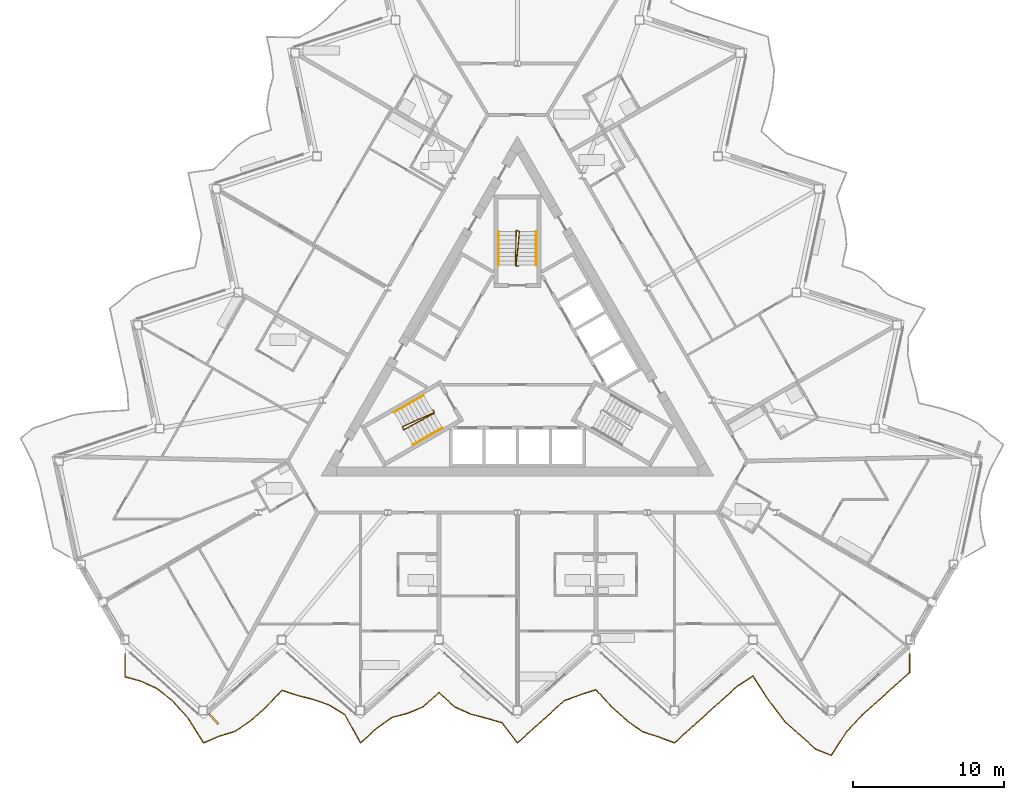
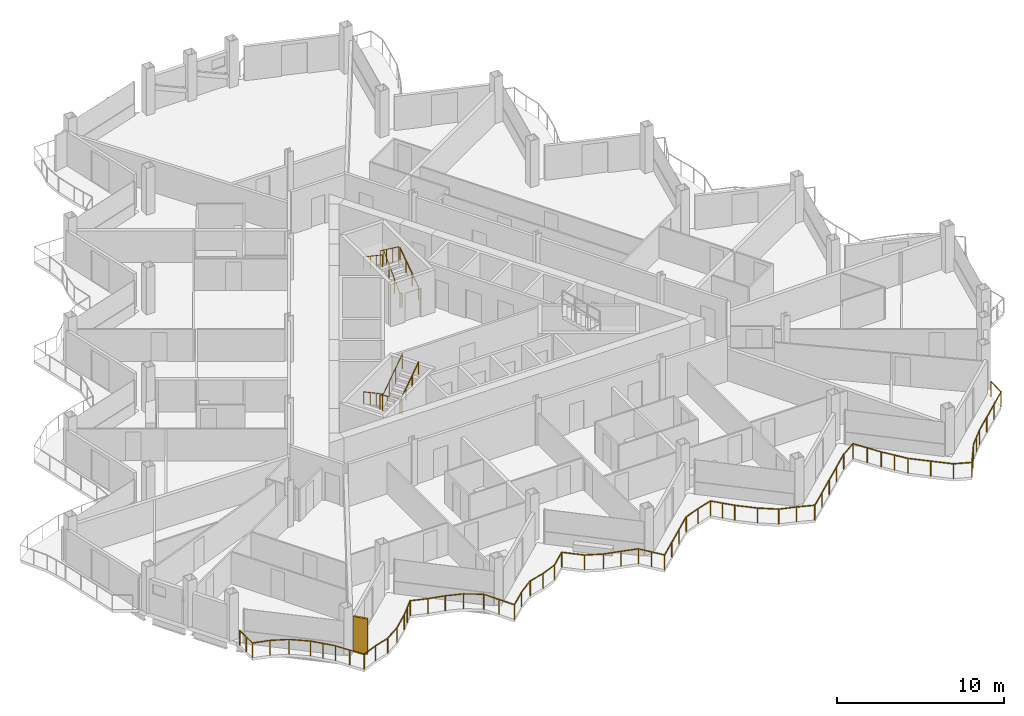
# One storey, part 23 of 27: 7 railings, 1 shading device.
"""IFC4 building model written with IfcOpenShell, lengths in metres."""

from ifc_helpers import new_model, si_unit, direction, frame, origin, origin_2d, place, context, subcontext, project, spatial, rectangle, circle, extrude, material, layer, layer_set, type_object, element, save


model = new_model("IFC4")

# Units and contexts
model_context = context("Model", 3, precision=1e-05, world=origin(), true_north=direction((0.0, 1.0)))
body_context = subcontext(model_context, "Body", "Model", "MODEL_VIEW")
ifc_project = project(units=[si_unit("LENGTHUNIT", "METRE"), si_unit("AREAUNIT", "SQUARE_METRE"), si_unit("VOLUMEUNIT", "CUBIC_METRE"), si_unit("PLANEANGLEUNIT", "RADIAN"), si_unit("MASSUNIT", "GRAM", prefix="KILO")], contexts=[model_context])

# Site, building, storey
site_placement = place(None, origin())
site = spatial("IfcSite", under=ifc_project, at=site_placement, CompositionType="ELEMENT")
building_placement = place(site_placement, origin())
building = spatial("IfcBuilding", under=site, at=building_placement, Name="Cormorant Prow Tower", CompositionType="ELEMENT")
storey_placement = place(building_placement, frame((0.0, 0.0, 315.39990234375)))
storey = spatial("IfcBuildingStorey", under=building, at=storey_placement, Name="L69", CompositionType="ELEMENT", Elevation=315.39990234375)

# Railings
ifc_material_1 = material(Name="Aluminium 6063-T6", Category="aluminium")
railing_type_1 = type_object("IfcRailingType", Name="Balcony guard 1100", PredefinedType="GUARDRAIL", material=ifc_material_1)
railing_1_placement = place(storey_placement, frame((-25.964111328125, -19.2666015625, 0.0)))
element("IfcRailing", 1, at=railing_1_placement, inside=storey, type_object=railing_type_1, Name="Balcony guard S", PredefinedType="GUARDRAIL", context=body_context, shape_type="SweptSolid", body=[
    extrude(circle(Radius=0.02392578125, at=origin_2d()), frame((0.0, 0.0, 1.076171875), z_axis=(0.0, -1.0, 0.0), x_axis=(1.0, 0.0, 0.0)), (0.0, 0.0, 1.0), 1.52001953125),
    extrude(circle(Radius=0.02392578125, at=origin_2d()), frame((0.0, -1.52001953125, 1.076171875), z_axis=(0.964831830716, -0.262867910625, 0.0), x_axis=(0.262867910625, 0.964831830716, 0.0)), (0.0, 0.0, 1.0), 1.076416015625),
    extrude(circle(Radius=0.02392578125, at=origin_2d()), frame((1.03857421875, -1.802978515625, 1.076171875), z_axis=(0.909529903983, -0.415638489267, 0.0), x_axis=(0.415638489267, 0.909529903983, 0.0)), (0.0, 0.0, 1.0), 1.141845703125),
    extrude(circle(Radius=0.02392578125, at=origin_2d()), frame((2.0771484375, -2.277587890625, 1.076171875), z_axis=(0.791751393424, -0.610843458679, 0.0), x_axis=(0.610843458679, 0.791751393424, 0.0)), (0.0, 0.0, 1.0), 1.311767578125),
    extrude(circle(Radius=0.02392578125, at=origin_2d()), frame((3.11572265625, -3.078857421875, 1.076171875), z_axis=(0.664654722426, -0.747150654123, 0.0), x_axis=(0.747150654123, 0.664654722426, 0.0)), (0.0, 0.0, 1.0), 1.5625),
    extrude(circle(Radius=0.02392578125, at=origin_2d()), frame((4.154296875, -4.246337890625, 1.076171875), z_axis=(0.532889683399, -0.846184722934, 0.0), x_axis=(0.846184722934, 0.532889683399, 0.0)), (0.0, 0.0, 1.0), 1.948974609375),
    extrude(circle(Radius=0.02392578125, at=origin_2d()), frame((5.19287109375, -5.8955078125, 1.076171875), z_axis=(0.918608052251, 0.395169895538, 0.0), x_axis=(-0.395169895538, 0.918608052251, 0.0)), (0.0, 0.0, 1.0), 1.130615234375),
    extrude(circle(Radius=0.02392578125, at=origin_2d()), frame((6.2314453125, -5.44873046875, 1.076171875), z_axis=(0.956152439164, 0.292869447163, 0.0), x_axis=(-0.292869447163, 0.956152439164, 0.0)), (0.0, 0.0, 1.0), 1.086181640625),
    extrude(circle(Radius=0.02392578125, at=origin_2d()), frame((7.27001953125, -5.130615234375, 1.076171875), z_axis=(0.832772402208, 0.553615503866, 0.0), x_axis=(-0.553615503866, 0.832772402208, 0.0)), (0.0, 0.0, 1.0), 1.2470703125),
    extrude(circle(Radius=0.02392578125, at=origin_2d()), frame((8.30859375, -4.440185546875, 1.076171875), z_axis=(0.743172519809, 0.669099847407, 0.0), x_axis=(-0.669099847407, 0.743172519809, 0.0)), (0.0, 0.0, 1.0), 1.3974609375),
    extrude(circle(Radius=0.02392578125, at=origin_2d()), frame((9.34716796875, -3.505126953125, 1.076171875), z_axis=(0.688817563116, 0.724934731368, 0.0), x_axis=(-0.724934731368, 0.688817563116, 0.0)), (0.0, 0.0, 1.0), 1.50732421875),
    extrude(circle(Radius=0.02392578125, at=origin_2d()), frame((10.385498046875, -2.412353515625, 1.076171875), z_axis=(0.948370798801, -0.317163724252, 0.0), x_axis=(0.317163724252, 0.948370798801, 0.0)), (0.0, 0.0, 1.0), 1.095458984375),
    extrude(circle(Radius=0.02392578125, at=origin_2d()), frame((11.42431640625, -2.759765625, 1.076171875), z_axis=(0.970490410078, -0.241139718724, 0.0), x_axis=(0.241139718724, 0.970490410078, 0.0)), (0.0, 0.0, 1.0), 1.070068359375),
    extrude(circle(Radius=0.02392578125, at=origin_2d()), frame((12.462890625, -3.017822265625, 1.076171875), z_axis=(0.942785531899, -0.333399821297, 0.0), x_axis=(0.333399821297, 0.942785531899, 0.0)), (0.0, 0.0, 1.0), 1.101318359375),
    extrude(circle(Radius=0.02392578125, at=origin_2d()), frame((13.501220703125, -3.385009765625, 1.076171875), z_axis=(0.850035108532, -0.526726033402, 0.0), x_axis=(0.526726033402, 0.850035108532, 0.0)), (0.0, 0.0, 1.0), 1.2216796875),
    extrude(circle(Radius=0.02392578125, at=origin_2d()), frame((14.539794921875, -4.028564453125, 1.076171875), z_axis=(0.486224960998, -0.873833672562, 0.0), x_axis=(0.873833672562, 0.486224960998, 0.0)), (0.0, 0.0, 1.0), 2.136474609375),
    extrude(circle(Radius=0.02392578125, at=origin_2d()), frame((15.57861328125, -5.8955078125, 1.076171875), z_axis=(0.743094292463, 0.669186724696, 0.0), x_axis=(-0.669186724696, 0.743094292463, 0.0)), (0.0, 0.0, 1.0), 1.397216796875),
    extrude(circle(Radius=0.02392578125, at=origin_2d()), frame((16.616943359375, -4.96044921875, 1.076171875), z_axis=(0.809352688534, 0.587322931242, 0.0), x_axis=(-0.587322931242, 0.809352688534, 0.0)), (0.0, 0.0, 1.0), 1.283203125),
    extrude(circle(Radius=0.02392578125, at=origin_2d()), frame((17.655517578125, -4.206787109375, 1.076171875), z_axis=(0.96810124115, 0.250559348027, 0.0), x_axis=(-0.250559348027, 0.96810124115, 0.0)), (0.0, 0.0, 1.0), 1.07275390625),
    extrude(circle(Radius=0.02392578125, at=origin_2d()), frame((18.694091796875, -3.93798828125, 1.076171875), z_axis=(0.92303840106, 0.384707824419, 0.0), x_axis=(-0.384707824419, 0.92303840106, 0.0)), (0.0, 0.0, 1.0), 1.125244140625),
    extrude(circle(Radius=0.02392578125, at=origin_2d()), frame((19.732666015625, -3.505126953125, 1.076171875), z_axis=(0.743085653119, 0.669196318077, 0.0), x_axis=(-0.669196318077, 0.743085653119, 0.0)), (0.0, 0.0, 1.0), 1.397705078125),
    extrude(circle(Radius=0.02392578125, at=origin_2d()), frame((20.771240234375, -2.56982421875, 1.076171875), z_axis=(0.743085653119, -0.669196318077, 0.0), x_axis=(0.669196318077, 0.743085653119, 0.0)), (0.0, 0.0, 1.0), 1.397705078125),
    extrude(circle(Radius=0.02392578125, at=origin_2d()), frame((21.809814453125, -3.505126953125, 1.076171875), z_axis=(0.908963631122, -0.416875421796, 0.0), x_axis=(0.416875421796, 0.908963631122, 0.0)), (0.0, 0.0, 1.0), 1.142578125),
    extrude(circle(Radius=0.02392578125, at=origin_2d()), frame((22.848388671875, -3.9814453125, 1.076171875), z_axis=(0.966989093264, -0.254817765291, 0.0), x_axis=(0.254817765291, 0.966989093264, 0.0)), (0.0, 0.0, 1.0), 1.073974609375),
    extrude(circle(Radius=0.02392578125, at=origin_2d()), frame((23.886962890625, -4.255126953125, 1.076171875), z_axis=(0.962085193341, -0.272749116871, 0.0), x_axis=(0.272749116871, 0.962085193341, 0.0)), (0.0, 0.0, 1.0), 1.07958984375),
    extrude(circle(Radius=0.02392578125, at=origin_2d()), frame((24.925537109375, -4.549560546875, 1.076171875), z_axis=(0.610903768439, -0.791704860227, 0.0), x_axis=(0.791704860227, 0.610903768439, 0.0)), (0.0, 0.0, 1.0), 1.699951171875),
    extrude(circle(Radius=0.02392578125, at=origin_2d()), frame((25.964111328125, -5.8955078125, 1.076171875), z_axis=(0.743172519809, 0.669099847407, 0.0), x_axis=(-0.669099847407, 0.743172519809, 0.0)), (0.0, 0.0, 1.0), 1.3974609375),
    extrude(circle(Radius=0.02392578125, at=origin_2d()), frame((27.002685546875, -4.96044921875, 1.076171875), z_axis=(0.743172519809, 0.669099847407, 0.0), x_axis=(-0.669099847407, 0.743172519809, 0.0)), (0.0, 0.0, 1.0), 1.3974609375),
    extrude(circle(Radius=0.02392578125, at=origin_2d()), frame((28.041259765625, -4.025390625, 1.076171875), z_axis=(0.743085653119, 0.669196318077, 0.0), x_axis=(-0.669196318077, 0.743085653119, 0.0)), (0.0, 0.0, 1.0), 1.397705078125),
    extrude(circle(Radius=0.02392578125, at=origin_2d()), frame((29.079833984375, -3.090087890625, 1.076171875), z_axis=(0.939786973148, 0.341760801001, 0.0), x_axis=(-0.341760801001, 0.939786973148, 0.0)), (0.0, 0.0, 1.0), 1.105224609375),
    extrude(circle(Radius=0.02392578125, at=origin_2d()), frame((30.118408203125, -2.71240234375, 1.076171875), z_axis=(0.951790825534, 0.306747818948, 0.0), x_axis=(-0.306747818948, 0.951790825534, 0.0)), (0.0, 0.0, 1.0), 1.091064453125),
    extrude(circle(Radius=0.02392578125, at=origin_2d()), frame((31.156982421875, -2.377685546875, 1.076171875), z_axis=(0.677525640029, -0.735499155067, 0.0), x_axis=(0.735499155067, 0.677525640029, 0.0)), (0.0, 0.0, 1.0), 1.532958984375),
    extrude(circle(Radius=0.02392578125, at=origin_2d()), frame((32.195556640625, -3.505126953125, 1.076171875), z_axis=(0.743172519809, -0.669099847407, 0.0), x_axis=(0.669099847407, 0.743172519809, 0.0)), (0.0, 0.0, 1.0), 1.3974609375),
    extrude(circle(Radius=0.02392578125, at=origin_2d()), frame((33.234130859375, -4.440185546875, 1.076171875), z_axis=(0.819213825821, -0.573488193064, 0.0), x_axis=(0.573488193064, 0.819213825821, 0.0)), (0.0, 0.0, 1.0), 1.267822265625),
    extrude(circle(Radius=0.02392578125, at=origin_2d()), frame((34.272705078125, -5.167236328125, 1.076171875), z_axis=(0.953219614945, -0.302278622605, 0.0), x_axis=(0.302278622605, 0.953219614945, 0.0)), (0.0, 0.0, 1.0), 1.089599609375),
    extrude(circle(Radius=0.02392578125, at=origin_2d()), frame((35.311279296875, -5.49658203125, 1.076171875), z_axis=(0.933475652817, -0.358640775148, 0.0), x_axis=(0.358640775148, 0.933475652817, 0.0)), (0.0, 0.0, 1.0), 1.1123046875),
    extrude(circle(Radius=0.02392578125, at=origin_2d()), frame((36.349609375, -5.8955078125, 1.076171875), z_axis=(0.743250716693, 0.669012983533, 0.0), x_axis=(-0.669012983533, 0.743250716693, 0.0)), (0.0, 0.0, 1.0), 1.397705078125),
    extrude(circle(Radius=0.02392578125, at=origin_2d()), frame((37.388427734375, -4.96044921875, 1.076171875), z_axis=(0.743172519809, 0.669099847407, 0.0), x_axis=(-0.669099847407, 0.743172519809, 0.0)), (0.0, 0.0, 1.0), 1.3974609375),
    extrude(circle(Radius=0.02392578125, at=origin_2d()), frame((38.427001953125, -4.025390625, 1.076171875), z_axis=(0.743007412363, 0.669283187577, 0.0), x_axis=(-0.669283187577, 0.743007412363, 0.0)), (0.0, 0.0, 1.0), 1.3974609375),
    extrude(circle(Radius=0.02392578125, at=origin_2d()), frame((39.46533203125, -3.090087890625, 1.076171875), z_axis=(0.743172519809, 0.669099847407, 0.0), x_axis=(-0.669099847407, 0.743172519809, 0.0)), (0.0, 0.0, 1.0), 1.3974609375),
    extrude(circle(Radius=0.02392578125, at=origin_2d()), frame((40.50390625, -2.155029296875, 1.076171875), z_axis=(0.835357772221, 0.549706642119, 0.0), x_axis=(-0.549706642119, 0.835357772221, 0.0)), (0.0, 0.0, 1.0), 1.24365234375),
    extrude(circle(Radius=0.02392578125, at=origin_2d()), frame((41.542724609375, -1.471435546875, 1.076171875), z_axis=(0.54587228611, -0.837868394951, 0.0), x_axis=(0.837868394951, 0.54587228611, 0.0)), (0.0, 0.0, 1.0), 1.902099609375),
    extrude(circle(Radius=0.02392578125, at=origin_2d()), frame((42.5810546875, -3.065185546875, 1.076171875), z_axis=(0.602716832864, -0.797955148728, 0.0), x_axis=(0.797955148728, 0.602716832864, 0.0)), (0.0, 0.0, 1.0), 1.72314453125),
    extrude(circle(Radius=0.02392578125, at=origin_2d()), frame((43.61962890625, -4.440185546875, 1.076171875), z_axis=(0.743172519809, -0.669099847407, 0.0), x_axis=(0.669099847407, 0.743172519809, 0.0)), (0.0, 0.0, 1.0), 1.3974609375),
    extrude(circle(Radius=0.02392578125, at=origin_2d()), frame((44.658203125, -5.375244140625, 1.076171875), z_axis=(0.746043449511, -0.665897267934, 0.0), x_axis=(0.665897267934, 0.746043449511, 0.0)), (0.0, 0.0, 1.0), 1.39208984375),
    extrude(circle(Radius=0.02392578125, at=origin_2d()), frame((45.69677734375, -6.30224609375, 1.076171875), z_axis=(0.926556741074, -0.37615502864, 0.0), x_axis=(0.37615502864, 0.926556741074, 0.0)), (0.0, 0.0, 1.0), 1.120849609375),
    extrude(circle(Radius=0.02392578125, at=origin_2d()), frame((46.7353515625, -6.723876953125, 1.076171875), z_axis=(0.543622130195, 0.839330077837, 0.0), x_axis=(-0.839330077837, 0.543622130195, 0.0)), (0.0, 0.0, 1.0), 1.910400390625),
    extrude(circle(Radius=0.02392578125, at=origin_2d()), frame((47.77392578125, -5.120361328125, 1.076171875), z_axis=(0.688175287314, 0.725544467232, 0.0), x_axis=(-0.725544467232, 0.688175287314, 0.0)), (0.0, 0.0, 1.0), 1.50927734375),
    extrude(circle(Radius=0.02392578125, at=origin_2d()), frame((48.8125, -4.025390625, 1.076171875), z_axis=(0.743085653119, 0.669196318077, 0.0), x_axis=(-0.669196318077, 0.743085653119, 0.0)), (0.0, 0.0, 1.0), 1.397705078125),
    extrude(circle(Radius=0.02392578125, at=origin_2d()), frame((49.85107421875, -3.090087890625, 1.076171875), z_axis=(0.743172519809, 0.669099847407, 0.0), x_axis=(-0.669099847407, 0.743172519809, 0.0)), (0.0, 0.0, 1.0), 1.3974609375),
    extrude(circle(Radius=0.02392578125, at=origin_2d()), frame((50.8896484375, -2.155029296875, 1.076171875), z_axis=(0.743172519809, 0.669099847407, 0.0), x_axis=(-0.669099847407, 0.743172519809, 0.0)), (0.0, 0.0, 1.0), 1.3974609375),
    extrude(circle(Radius=0.02392578125, at=origin_2d()), frame((51.92822265625, -1.219970703125, 1.076171875), z_axis=(0.0, 1.0, 0.0), x_axis=(-1.0, 0.0, 0.0)), (0.0, 0.0, 1.0), 1.219970703125),
    extrude(circle(Radius=0.02099609375, at=origin_2d()), origin(), (0.0, 0.0, 1.0), 1.052001953125),
    extrude(circle(Radius=0.02099609375, at=origin_2d()), frame((0.0, -0.760009765625, 0.0)), (0.0, 0.0, 1.0), 1.052001953125),
    extrude(circle(Radius=0.02099609375, at=origin_2d()), frame((0.0, -1.52001953125, 0.0)), (0.0, 0.0, 1.0), 1.052001953125),
    extrude(circle(Radius=0.02099609375, at=origin_2d()), frame((1.03857421875, -1.802978515625, 0.0)), (0.0, 0.0, 1.0), 1.052001953125),
    extrude(circle(Radius=0.02099609375, at=origin_2d()), frame((2.0771484375, -2.277587890625, 0.0)), (0.0, 0.0, 1.0), 1.052001953125),
    extrude(circle(Radius=0.02099609375, at=origin_2d()), frame((3.11572265625, -3.078857421875, 0.0)), (0.0, 0.0, 1.0), 1.052001953125),
    extrude(circle(Radius=0.02099609375, at=origin_2d()), frame((3.635009765625, -3.66259765625, 0.0)), (0.0, 0.0, 1.0), 1.052001953125),
    extrude(circle(Radius=0.02099609375, at=origin_2d()), frame((4.154296875, -4.246337890625, 0.0)), (0.0, 0.0, 1.0), 1.052001953125),
    extrude(circle(Radius=0.02099609375, at=origin_2d()), frame((4.673583984375, -5.07080078125, 0.0)), (0.0, 0.0, 1.0), 1.052001953125),
    extrude(circle(Radius=0.02099609375, at=origin_2d()), frame((5.19287109375, -5.8955078125, 0.0)), (0.0, 0.0, 1.0), 1.052001953125),
    extrude(circle(Radius=0.02099609375, at=origin_2d()), frame((6.2314453125, -5.44873046875, 0.0)), (0.0, 0.0, 1.0), 1.052001953125),
    extrude(circle(Radius=0.02099609375, at=origin_2d()), frame((7.27001953125, -5.130615234375, 0.0)), (0.0, 0.0, 1.0), 1.052001953125),
    extrude(circle(Radius=0.02099609375, at=origin_2d()), frame((8.30859375, -4.440185546875, 0.0)), (0.0, 0.0, 1.0), 1.052001953125),
    extrude(circle(Radius=0.02099609375, at=origin_2d()), frame((9.34716796875, -3.505126953125, 0.0)), (0.0, 0.0, 1.0), 1.052001953125),
    extrude(circle(Radius=0.02099609375, at=origin_2d()), frame((9.8662109375, -2.958740234375, 0.0)), (0.0, 0.0, 1.0), 1.052001953125),
    extrude(circle(Radius=0.02099609375, at=origin_2d()), frame((10.385498046875, -2.412353515625, 0.0)), (0.0, 0.0, 1.0), 1.052001953125),
    extrude(circle(Radius=0.02099609375, at=origin_2d()), frame((11.42431640625, -2.759765625, 0.0)), (0.0, 0.0, 1.0), 1.052001953125),
    extrude(circle(Radius=0.02099609375, at=origin_2d()), frame((12.462890625, -3.017822265625, 0.0)), (0.0, 0.0, 1.0), 1.052001953125),
    extrude(circle(Radius=0.02099609375, at=origin_2d()), frame((13.501220703125, -3.385009765625, 0.0)), (0.0, 0.0, 1.0), 1.052001953125),
    extrude(circle(Radius=0.02099609375, at=origin_2d()), frame((14.539794921875, -4.028564453125, 0.0)), (0.0, 0.0, 1.0), 1.052001953125),
    extrude(circle(Radius=0.02099609375, at=origin_2d()), frame((15.05908203125, -4.9619140625, 0.0)), (0.0, 0.0, 1.0), 1.052001953125),
    extrude(circle(Radius=0.02099609375, at=origin_2d()), frame((15.57861328125, -5.8955078125, 0.0)), (0.0, 0.0, 1.0), 1.052001953125),
    extrude(circle(Radius=0.02099609375, at=origin_2d()), frame((16.616943359375, -4.96044921875, 0.0)), (0.0, 0.0, 1.0), 1.052001953125),
    extrude(circle(Radius=0.02099609375, at=origin_2d()), frame((17.655517578125, -4.206787109375, 0.0)), (0.0, 0.0, 1.0), 1.052001953125),
    extrude(circle(Radius=0.02099609375, at=origin_2d()), frame((18.694091796875, -3.93798828125, 0.0)), (0.0, 0.0, 1.0), 1.052001953125),
    extrude(circle(Radius=0.02099609375, at=origin_2d()), frame((19.732666015625, -3.505126953125, 0.0)), (0.0, 0.0, 1.0), 1.052001953125),
    extrude(circle(Radius=0.02099609375, at=origin_2d()), frame((20.771240234375, -2.56982421875, 0.0)), (0.0, 0.0, 1.0), 1.052001953125),
    extrude(circle(Radius=0.02099609375, at=origin_2d()), frame((21.809814453125, -3.505126953125, 0.0)), (0.0, 0.0, 1.0), 1.052001953125),
    extrude(circle(Radius=0.02099609375, at=origin_2d()), frame((22.848388671875, -3.9814453125, 0.0)), (0.0, 0.0, 1.0), 1.052001953125),
    extrude(circle(Radius=0.02099609375, at=origin_2d()), frame((23.886962890625, -4.255126953125, 0.0)), (0.0, 0.0, 1.0), 1.052001953125),
    extrude(circle(Radius=0.02099609375, at=origin_2d()), frame((24.925537109375, -4.549560546875, 0.0)), (0.0, 0.0, 1.0), 1.052001953125),
    extrude(circle(Radius=0.02099609375, at=origin_2d()), frame((25.44482421875, -5.22265625, 0.0)), (0.0, 0.0, 1.0), 1.052001953125),
    extrude(circle(Radius=0.02099609375, at=origin_2d()), frame((25.964111328125, -5.8955078125, 0.0)), (0.0, 0.0, 1.0), 1.052001953125),
    extrude(circle(Radius=0.02099609375, at=origin_2d()), frame((27.002685546875, -4.96044921875, 0.0)), (0.0, 0.0, 1.0), 1.052001953125),
    extrude(circle(Radius=0.02099609375, at=origin_2d()), frame((28.041259765625, -4.025390625, 0.0)), (0.0, 0.0, 1.0), 1.052001953125),
    extrude(circle(Radius=0.02099609375, at=origin_2d()), frame((29.079833984375, -3.090087890625, 0.0)), (0.0, 0.0, 1.0), 1.052001953125),
    extrude(circle(Radius=0.02099609375, at=origin_2d()), frame((30.118408203125, -2.71240234375, 0.0)), (0.0, 0.0, 1.0), 1.052001953125),
    extrude(circle(Radius=0.02099609375, at=origin_2d()), frame((31.156982421875, -2.377685546875, 0.0)), (0.0, 0.0, 1.0), 1.052001953125),
    extrude(circle(Radius=0.02099609375, at=origin_2d()), frame((31.67626953125, -2.94140625, 0.0)), (0.0, 0.0, 1.0), 1.052001953125),
    extrude(circle(Radius=0.02099609375, at=origin_2d()), frame((32.195556640625, -3.505126953125, 0.0)), (0.0, 0.0, 1.0), 1.052001953125),
    extrude(circle(Radius=0.02099609375, at=origin_2d()), frame((33.234130859375, -4.440185546875, 0.0)), (0.0, 0.0, 1.0), 1.052001953125),
    extrude(circle(Radius=0.02099609375, at=origin_2d()), frame((34.272705078125, -5.167236328125, 0.0)), (0.0, 0.0, 1.0), 1.052001953125),
    extrude(circle(Radius=0.02099609375, at=origin_2d()), frame((35.311279296875, -5.49658203125, 0.0)), (0.0, 0.0, 1.0), 1.052001953125),
    extrude(circle(Radius=0.02099609375, at=origin_2d()), frame((36.349609375, -5.8955078125, 0.0)), (0.0, 0.0, 1.0), 1.052001953125),
    extrude(circle(Radius=0.02099609375, at=origin_2d()), frame((37.388427734375, -4.96044921875, 0.0)), (0.0, 0.0, 1.0), 1.052001953125),
    extrude(circle(Radius=0.02099609375, at=origin_2d()), frame((38.427001953125, -4.025390625, 0.0)), (0.0, 0.0, 1.0), 1.052001953125),
    extrude(circle(Radius=0.02099609375, at=origin_2d()), frame((39.46533203125, -3.090087890625, 0.0)), (0.0, 0.0, 1.0), 1.052001953125),
    extrude(circle(Radius=0.02099609375, at=origin_2d()), frame((40.50390625, -2.155029296875, 0.0)), (0.0, 0.0, 1.0), 1.052001953125),
    extrude(circle(Radius=0.02099609375, at=origin_2d()), frame((41.542724609375, -1.471435546875, 0.0)), (0.0, 0.0, 1.0), 1.052001953125),
    extrude(circle(Radius=0.02099609375, at=origin_2d()), frame((42.06201171875, -2.268310546875, 0.0)), (0.0, 0.0, 1.0), 1.052001953125),
    extrude(circle(Radius=0.02099609375, at=origin_2d()), frame((42.5810546875, -3.065185546875, 0.0)), (0.0, 0.0, 1.0), 1.052001953125),
    extrude(circle(Radius=0.02099609375, at=origin_2d()), frame((43.100341796875, -3.752685546875, 0.0)), (0.0, 0.0, 1.0), 1.052001953125),
    extrude(circle(Radius=0.02099609375, at=origin_2d()), frame((43.61962890625, -4.440185546875, 0.0)), (0.0, 0.0, 1.0), 1.052001953125),
    extrude(circle(Radius=0.02099609375, at=origin_2d()), frame((44.658203125, -5.375244140625, 0.0)), (0.0, 0.0, 1.0), 1.052001953125),
    extrude(circle(Radius=0.02099609375, at=origin_2d()), frame((45.69677734375, -6.30224609375, 0.0)), (0.0, 0.0, 1.0), 1.052001953125),
    extrude(circle(Radius=0.02099609375, at=origin_2d()), frame((46.7353515625, -6.723876953125, 0.0)), (0.0, 0.0, 1.0), 1.052001953125),
    extrude(circle(Radius=0.02099609375, at=origin_2d()), frame((47.254638671875, -5.922119140625, 0.0)), (0.0, 0.0, 1.0), 1.052001953125),
    extrude(circle(Radius=0.02099609375, at=origin_2d()), frame((47.77392578125, -5.120361328125, 0.0)), (0.0, 0.0, 1.0), 1.052001953125),
    extrude(circle(Radius=0.02099609375, at=origin_2d()), frame((48.293212890625, -4.57275390625, 0.0)), (0.0, 0.0, 1.0), 1.052001953125),
    extrude(circle(Radius=0.02099609375, at=origin_2d()), frame((48.8125, -4.025390625, 0.0)), (0.0, 0.0, 1.0), 1.052001953125),
    extrude(circle(Radius=0.02099609375, at=origin_2d()), frame((49.85107421875, -3.090087890625, 0.0)), (0.0, 0.0, 1.0), 1.052001953125),
    extrude(circle(Radius=0.02099609375, at=origin_2d()), frame((50.8896484375, -2.155029296875, 0.0)), (0.0, 0.0, 1.0), 1.052001953125),
    extrude(circle(Radius=0.02099609375, at=origin_2d()), frame((51.92822265625, -1.219970703125, 0.0)), (0.0, 0.0, 1.0), 1.052001953125),
    extrude(circle(Radius=0.02099609375, at=origin_2d()), frame((51.92822265625, 0.0, 0.0)), (0.0, 0.0, 1.0), 1.052001953125),
])
ifc_material_2 = material(Name="Stainless steel", Category="steel")
railing_type_2 = type_object("IfcRailingType", Name="Stair guard 1100", PredefinedType="GUARDRAIL", material=ifc_material_2)
railing_2_placement = place(storey_placement, frame((-5.585205078125, -3.137939453125, 0.0)))
element("IfcRailing", 2, at=railing_2_placement, inside=storey, type_object=railing_type_2, Name="L69 ST1 stair guard 1", PredefinedType="GUARDRAIL", context=body_context, shape_type="SweptSolid", body=[
    extrude(circle(Radius=0.02392578125, at=origin_2d()), frame((0.0, 0.0, 1.076171875), z_axis=(0.501036270542, -0.865426285481, 0.0), x_axis=(0.865426285481, 0.501036270542, 0.0)), (0.0, 0.0, 1.0), 0.150146484375),
    extrude(circle(Radius=0.02392578125, at=origin_2d()), frame((0.0751953125, -0.1298828125, 1.076171875), z_axis=(-0.728604041492, -0.3399241403, 0.594632432316), x_axis=(0.422792438952, -0.906226546491, 0.0)), (0.0, 0.0, 1.0), 2.859130859375),
    extrude(circle(Radius=0.02392578125, at=origin_2d()), frame((-2.008056640625, -1.101806640625, 2.7763671875), z_axis=(0.275034262293, -0.961434425515, 0.0), x_axis=(0.961434425515, 0.275034262293, 0.0)), (0.0, 0.0, 1.0), 0.2060546875),
    extrude(circle(Radius=0.02392578125, at=origin_2d()), frame((-1.951416015625, -1.2998046875, 2.7763671875), z_axis=(0.704058451865, 0.386179398835, 0.595959032378), x_axis=(-0.480911908544, 0.87676891837, 0.0)), (0.0, 0.0, 1.0), 2.8525390625),
    extrude(circle(Radius=0.02099609375, at=origin_2d()), origin(), (0.0, 0.0, 1.0), 1.052001953125),
    extrude(circle(Radius=0.02099609375, at=origin_2d()), frame((0.0751953125, -0.1298828125, 0.0)), (0.0, 0.0, 1.0), 1.052001953125),
    extrude(circle(Radius=0.02099609375, at=origin_2d()), frame((-0.619140625, -0.453857421875, 0.566650390625)), (0.0, 0.0, 1.0), 1.052001953125),
    extrude(circle(Radius=0.02099609375, at=origin_2d()), frame((-1.313720703125, -0.77783203125, 1.133544921875)), (0.0, 0.0, 1.0), 1.052001953125),
    extrude(circle(Radius=0.02099609375, at=origin_2d()), frame((-2.008056640625, -1.101806640625, 1.7001953125)), (0.0, 0.0, 1.0), 1.052001953125),
    extrude(circle(Radius=0.02099609375, at=origin_2d()), frame((-1.951416015625, -1.2998046875, 1.7001953125)), (0.0, 0.0, 1.0), 1.052001953125),
    extrude(circle(Radius=0.02099609375, at=origin_2d()), frame((-1.281982421875, -0.9326171875, 2.266845703125)), (0.0, 0.0, 1.0), 1.052001953125),
    extrude(circle(Radius=0.02099609375, at=origin_2d()), frame((-0.612548828125, -0.5654296875, 2.83349609375)), (0.0, 0.0, 1.0), 1.052001953125),
    extrude(circle(Radius=0.02099609375, at=origin_2d()), frame((0.056884765625, -0.1982421875, 3.400146484375)), (0.0, 0.0, 1.0), 1.052001953125),
])
railing_3_placement = place(storey_placement, frame((0.074951171875, 6.40576171875, 0.0)))
element("IfcRailing", 3, at=railing_3_placement, inside=storey, type_object=railing_type_2, Name="L69 ST3 stair guard 1", PredefinedType="GUARDRAIL", context=body_context, shape_type="SweptSolid", body=[
    extrude(circle(Radius=0.02392578125, at=origin_2d()), frame((0.0, 0.0, 1.076171875), z_axis=(-1.0, 0.0, 0.0), x_axis=(0.0, -1.0, 0.0)), (0.0, 0.0, 1.0), 0.14990234375),
    extrude(circle(Radius=0.02392578125, at=origin_2d()), frame((-0.14990234375, 0.0, 1.076171875), z_axis=(0.069932991402, 0.800941952812, 0.594643897589), x_axis=(-0.996209839609, 0.086982500921, 0.0)), (0.0, 0.0, 1.0), 2.859130859375),
    extrude(circle(Radius=0.02392578125, at=origin_2d()), frame((0.050048828125, 2.2900390625, 2.7763671875), z_axis=(-0.970072785993, 0.242814311512, 0.0), x_axis=(-0.242814311512, -0.970072785993, 0.0)), (0.0, 0.0, 1.0), 0.2060546875),
    extrude(circle(Radius=0.02392578125, at=origin_2d()), frame((-0.14990234375, 2.340087890625, 2.7763671875), z_axis=(-0.017545750742, -0.80282508275, 0.595956402045), x_axis=(0.999761264773, -0.0218497931, 0.0)), (0.0, 0.0, 1.0), 2.8525390625),
    extrude(circle(Radius=0.02099609375, at=origin_2d()), origin(), (0.0, 0.0, 1.0), 1.052001953125),
    extrude(circle(Radius=0.02099609375, at=origin_2d()), frame((-0.14990234375, 0.0, 0.0)), (0.0, 0.0, 1.0), 1.052001953125),
    extrude(circle(Radius=0.02099609375, at=origin_2d()), frame((-0.083251953125, 0.763427734375, 0.566650390625)), (0.0, 0.0, 1.0), 1.052001953125),
    extrude(circle(Radius=0.02099609375, at=origin_2d()), frame((-0.0166015625, 1.526611328125, 1.133544921875)), (0.0, 0.0, 1.0), 1.052001953125),
    extrude(circle(Radius=0.02099609375, at=origin_2d()), frame((0.050048828125, 2.2900390625, 1.7001953125)), (0.0, 0.0, 1.0), 1.052001953125),
    extrude(circle(Radius=0.02099609375, at=origin_2d()), frame((-0.14990234375, 2.340087890625, 1.7001953125)), (0.0, 0.0, 1.0), 1.052001953125),
    extrude(circle(Radius=0.02099609375, at=origin_2d()), frame((-0.16650390625, 1.57666015625, 2.266845703125)), (0.0, 0.0, 1.0), 1.052001953125),
    extrude(circle(Radius=0.02099609375, at=origin_2d()), frame((-0.183349609375, 0.8134765625, 2.83349609375)), (0.0, 0.0, 1.0), 1.052001953125),
    extrude(circle(Radius=0.02099609375, at=origin_2d()), frame((-0.199951171875, 0.050048828125, 3.400146484375)), (0.0, 0.0, 1.0), 1.052001953125),
])
ifc_material_3 = material(Name="Stainless steel", Category="steel")
railing_type_3 = type_object("IfcRailingType", Name="Stair handrail 900", PredefinedType="HANDRAIL", material=ifc_material_3)
railing_4_placement = place(storey_placement, frame((-6.212890625, -2.150634765625, 0.18896484375)))
element("IfcRailing", 4, at=railing_4_placement, inside=storey, type_object=railing_type_3, Name="L69 ST1 stair handrail 1", PredefinedType="HANDRAIL", context=body_context, shape_type="SweptSolid", body=[
    extrude(circle(Radius=0.02392578125, at=origin_2d()), frame((0.0, 0.0, 0.8759765625), z_axis=(-0.717940317343, -0.414446543626, 0.55928147047), x_axis=(0.49994888933, -0.866054910533, 0.0)), (0.0, 0.0, 1.0), 2.7021484375),
    extrude(circle(Radius=0.02099609375, at=origin_2d()), origin(), (0.0, 0.0, 1.0), 0.851806640625),
    extrude(circle(Radius=0.02099609375, at=origin_2d()), frame((-0.646728515625, -0.373291015625, 0.503662109375)), (0.0, 0.0, 1.0), 0.851806640625),
    extrude(circle(Radius=0.02099609375, at=origin_2d()), frame((-1.293212890625, -0.74658203125, 1.007568359375)), (0.0, 0.0, 1.0), 0.851806640625),
    extrude(circle(Radius=0.02099609375, at=origin_2d()), frame((-1.93994140625, -1.119873046875, 1.51123046875)), (0.0, 0.0, 1.0), 0.851806640625),
])
railing_5_placement = place(storey_placement, frame((-6.90869140625, -5.42529296875, 1.888916015625)))
element("IfcRailing", 5, at=railing_5_placement, inside=storey, type_object=railing_type_3, Name="L69 ST1 stair handrail 2", PredefinedType="HANDRAIL", context=body_context, shape_type="SweptSolid", body=[
    extrude(circle(Radius=0.02392578125, at=origin_2d()), frame((0.0, 0.0, 0.8759765625), z_axis=(0.717869644322, 0.414548260308, 0.559296802813), x_axis=(-0.500077830873, 0.865980463445, 0.0)), (0.0, 0.0, 1.0), 2.701904296875),
    extrude(circle(Radius=0.02099609375, at=origin_2d()), origin(), (0.0, 0.0, 1.0), 0.851806640625),
    extrude(circle(Radius=0.02099609375, at=origin_2d()), frame((0.646484375, 0.373291015625, 0.503662109375)), (0.0, 0.0, 1.0), 0.851806640625),
    extrude(circle(Radius=0.02099609375, at=origin_2d()), frame((1.293212890625, 0.746826171875, 1.007568359375)), (0.0, 0.0, 1.0), 0.851806640625),
    extrude(circle(Radius=0.02099609375, at=origin_2d()), frame((1.939697265625, 1.1201171875, 1.51123046875)), (0.0, 0.0, 1.0), 0.851806640625),
])
railing_6_placement = place(storey_placement, frame((1.243896484375, 6.455810546875, 0.18896484375)))
element("IfcRailing", 6, at=railing_6_placement, inside=storey, type_object=railing_type_3, Name="L69 ST3 stair handrail 1", PredefinedType="HANDRAIL", context=body_context, shape_type="SweptSolid", body=[
    extrude(circle(Radius=0.02392578125, at=origin_2d()), frame((0.0, 0.0, 0.8759765625), z_axis=(0.0, 0.828979582247, 0.559278868023), x_axis=(-1.0, 0.0, 0.0)), (0.0, 0.0, 1.0), 2.7021484375),
    extrude(circle(Radius=0.02099609375, at=origin_2d()), origin(), (0.0, 0.0, 1.0), 0.851806640625),
    extrude(circle(Radius=0.02099609375, at=origin_2d()), frame((0.0, 0.74658203125, 0.503662109375)), (0.0, 0.0, 1.0), 0.851806640625),
    extrude(circle(Radius=0.02099609375, at=origin_2d()), frame((0.0, 1.493408203125, 1.007568359375)), (0.0, 0.0, 1.0), 0.851806640625),
    extrude(circle(Radius=0.02099609375, at=origin_2d()), frame((0.0, 2.239990234375, 1.51123046875)), (0.0, 0.0, 1.0), 0.851806640625),
])
railing_7_placement = place(storey_placement, frame((-1.243896484375, 8.69580078125, 1.888916015625)))
element("IfcRailing", 7, at=railing_7_placement, inside=storey, type_object=railing_type_3, Name="L69 ST3 stair handrail 2", PredefinedType="HANDRAIL", context=body_context, shape_type="SweptSolid", body=[
    extrude(circle(Radius=0.02392578125, at=origin_2d()), frame((0.0, 0.0, 0.8759765625), z_axis=(0.0, -0.828979582247, 0.559278868023), x_axis=(1.0, 0.0, 0.0)), (0.0, 0.0, 1.0), 2.7021484375),
    extrude(circle(Radius=0.02099609375, at=origin_2d()), origin(), (0.0, 0.0, 1.0), 0.851806640625),
    extrude(circle(Radius=0.02099609375, at=origin_2d()), frame((0.0, -0.74658203125, 0.503662109375)), (0.0, 0.0, 1.0), 0.851806640625),
    extrude(circle(Radius=0.02099609375, at=origin_2d()), frame((0.0, -1.493408203125, 1.007568359375)), (0.0, 0.0, 1.0), 0.851806640625),
    extrude(circle(Radius=0.02099609375, at=origin_2d()), frame((0.0, -2.239990234375, 1.51123046875)), (0.0, 0.0, 1.0), 0.851806640625),
])

# Shading device
ifc_material_4 = material(Name="Terracotta", Category="masonry")
ifc_layer = layer(ifc_material_4, 0.1201171875)
ifc_layer_set = layer_set([ifc_layer], Name="Terracotta")
shading_device_type = type_object("IfcShadingDeviceType", Name="Terracotta baguette fin 120x900x2600", PredefinedType="USERDEFINED", material=ifc_layer_set)
shading_device_placement = place(storey_placement, frame((-20.10302734375, -23.566162109375, 0.0), z_axis=(0.0, 0.0, 1.0), x_axis=(0.743144813413, 0.669130619757, 0.0)))
element("IfcShadingDevice", 8, at=shading_device_placement, inside=storey, type_object=shading_device_type, Name="Baguette fin S01", ObjectType="BAGUETTE", PredefinedType="USERDEFINED", context=body_context, shape_type="SweptSolid", body=[
    extrude(rectangle(XDim=0.1201171875, YDim=0.89990234375, at=origin_2d()), origin(), (0.0, 0.0, 1.0), 2.60009765625),
])

save(model, "model.ifc")
